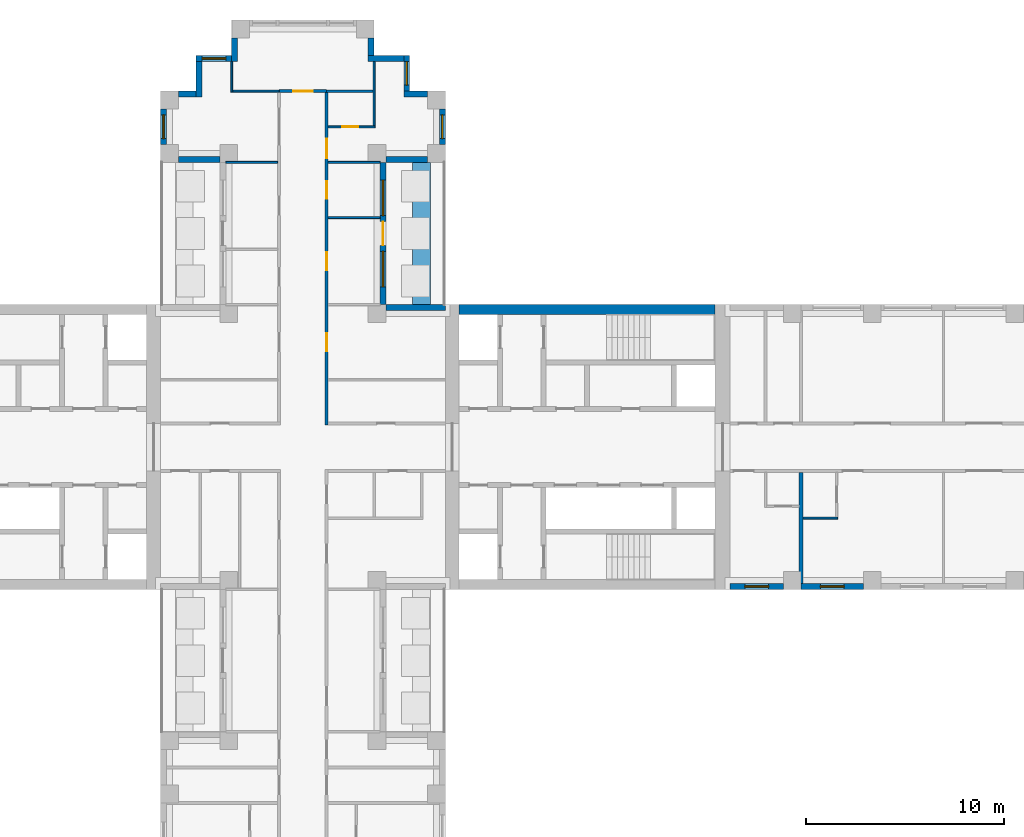
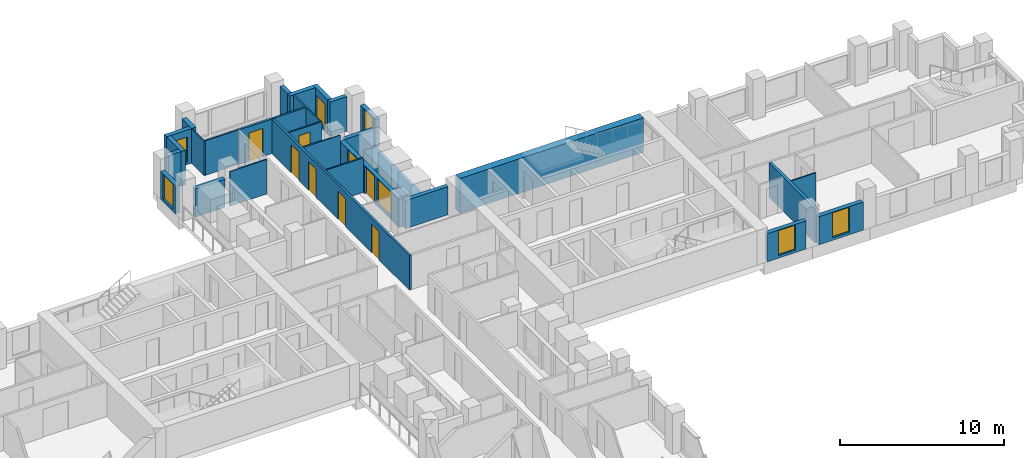
# One storey, part 9 of 13: 30 walls, 8 windows, 7 doors, 15 openings.
"""IFC4 building model written with IfcOpenShell, lengths in metres."""

import ifcopenshell
import ifcopenshell.guid

model = None  # the IFC model being written
_history = None  # IfcOwnerHistory: only IFC2X3 demands one
_inside = {}  # id of a spatial element -> (the spatial element, [elements in it])
_under = {}  # id of a project, library or spatial element -> (it, [spatial elements below it])
_declared = {}  # id of a project -> (the project, [libraries it declares])
_typed = {}  # id of a type object -> (the type object, [elements of that type])
_made_of = {}  # id of a material, layer set ... -> (it, [elements and type objects made of it])


def new_model(schema):
    """Start an empty IFC model of exactly this schema.

    Asked for "IFC4X3", IfcOpenShell would pick the latest addendum, in which some entities
    have other attributes; the version numbers below select the first issue.
    IFC2X3 requires an IfcOwnerHistory on every rooted entity: one is made here for all.
    """
    global model, _history
    if schema == "IFC4X3":
        model = ifcopenshell.file(schema_version=(4, 3, 0, 0))
    else:
        model = ifcopenshell.file(schema=schema)
    _inside.clear()
    _under.clear()
    _declared.clear()
    _typed.clear()
    _made_of.clear()
    _history = None
    if model.schema == "IFC2X3":
        org = make("IfcOrganization", Name="unknown")
        user = make(
            "IfcPersonAndOrganization",
            ThePerson=make("IfcPerson", FamilyName="unknown"),
            TheOrganization=org,
        )
        app = make(
            "IfcApplication",
            ApplicationDeveloper=org,
            Version="unknown",
            ApplicationFullName="unknown",
            ApplicationIdentifier="unknown",
        )
        _history = make(
            "IfcOwnerHistory",
            OwningUser=user,
            OwningApplication=app,
            ChangeAction="ADDED",
            CreationDate=0,
        )
    return model


def make(cls, **values):
    """One entity of the class cls with the attributes given. An attribute that is None is left unset."""
    return model.create_entity(
        cls, **{name: value for name, value in values.items() if value is not None}
    )


def rooted(cls, **values):
    """An entity with a GlobalId (a new one), such as an element, a storey or a relation."""
    return make(cls, GlobalId=ifcopenshell.guid.new(), OwnerHistory=_history, **values)


def si_unit(unit_type, name, prefix=None):
    """IfcSIUnit, for example si_unit("LENGTHUNIT", "METRE", prefix="MILLI")."""
    return make("IfcSIUnit", UnitType=unit_type, Prefix=prefix, Name=name)


def assignment(units):
    """IfcUnitAssignment: the units of a project."""
    return None if units is None else make("IfcUnitAssignment", Units=units)


def point(xyz):
    """IfcCartesianPoint."""
    return None if xyz is None else make("IfcCartesianPoint", Coordinates=xyz)


def direction(xyz):
    """IfcDirection."""
    return None if xyz is None else make("IfcDirection", DirectionRatios=xyz)


def frame(location, z_axis=None, x_axis=None):
    """IfcAxis2Placement3D, a coordinate frame: its origin and axes. An axis left out is left unset."""
    return make(
        "IfcAxis2Placement3D",
        Location=point(location),
        Axis=direction(z_axis),
        RefDirection=direction(x_axis),
    )


def frame_2d(location, x_axis=None):
    """IfcAxis2Placement2D, a coordinate frame in the plane: its origin and x axis."""
    return make(
        "IfcAxis2Placement2D", Location=point(location), RefDirection=direction(x_axis)
    )


def origin():
    """The frame at (0, 0, 0) with its axes left unset."""
    return frame((0.0, 0.0, 0.0))


def place(relative_to, where):
    """IfcLocalPlacement: puts the frame where relative to a parent placement (None: the world)."""
    return make(
        "IfcLocalPlacement", PlacementRelTo=relative_to, RelativePlacement=where
    )


def context(
    kind, dimensions, precision=None, world=None, true_north=None, identifier=None
):
    """IfcGeometricRepresentationContext, for example the 3D "Model" context."""
    return make(
        "IfcGeometricRepresentationContext",
        ContextIdentifier=identifier,
        ContextType=kind,
        CoordinateSpaceDimension=dimensions,
        Precision=precision,
        WorldCoordinateSystem=world,
        TrueNorth=true_north,
    )


def subcontext(parent, identifier, kind, view, scale=None):
    """IfcGeometricRepresentationSubContext, for example "Body" below "Model"."""
    return make(
        "IfcGeometricRepresentationSubContext",
        ContextIdentifier=identifier,
        ContextType=kind,
        ParentContext=parent,
        TargetScale=scale,
        TargetView=view,
    )


def project(units=None, contexts=None):
    """IfcProject with its units and contexts."""
    return rooted(
        "IfcProject",
        Name="project",
        RepresentationContexts=contexts,
        UnitsInContext=assignment(units),
    )


def spatial(cls, under=None, at=None, **own):
    """A site, building, storey or space (cls), placed at a placement, below another one or the project."""
    s = rooted(cls, ObjectPlacement=at, **own)
    if under is not None:
        _under.setdefault(under.id(), (under, []))[1].append(s)
    return s


def profile(cls, at=None, kind="AREA", **sizes):
    """A parametric profile (cls). Its sizes go by their IFC names, for example OverallWidth=200.0."""
    return make(cls, ProfileType=kind, Position=at, **sizes)


def rectangle(**sizes):
    """IfcRectangleProfileDef."""
    return profile("IfcRectangleProfileDef", **sizes)


def extrude(swept, where, along, depth):
    """IfcExtrudedAreaSolid: the profile swept, set in the frame where, extruded along a direction by depth."""
    return make(
        "IfcExtrudedAreaSolid",
        SweptArea=swept,
        Position=where,
        ExtrudedDirection=direction(along),
        Depth=depth,
    )


def shape(context_of_items, identifier, shape_type, items):
    """IfcShapeRepresentation: the items that make up one representation, for example the "Body"."""
    return make(
        "IfcShapeRepresentation",
        ContextOfItems=context_of_items,
        RepresentationIdentifier=identifier,
        RepresentationType=shape_type,
        Items=items,
    )


def material(Name=None, Category=None):
    """IfcMaterial."""
    return make("IfcMaterial", Name=Name, Category=Category)


def layer(
    of_material, thickness, ventilated=None, Name=None, Category=None, Priority=None
):
    """IfcMaterialLayer: one layer of a wall or slab, of a material (None: an air gap)."""
    return make(
        "IfcMaterialLayer",
        Material=of_material,
        LayerThickness=thickness,
        IsVentilated=ventilated,
        Name=Name,
        Category=Category,
        Priority=Priority,
    )


def layer_set(layers, Name=None):
    """IfcMaterialLayerSet."""
    return make("IfcMaterialLayerSet", MaterialLayers=layers, LayerSetName=Name)


def made_of(thing, what):
    """Note that an element or type object is made of a material, layer set ...; save() writes the relation."""
    if what is not None:
        _made_of.setdefault(what.id(), (what, []))[1].append(thing)
    return thing


def type_object(cls, material=None, **own):
    """A type object (cls), such as IfcWallType, which elements share."""
    return made_of(rooted(cls, **own), material)


def element(
    cls,
    number,
    at=None,
    inside=None,
    cuts=None,
    type_object=None,
    material=None,
    context=None,
    identifier="Body",
    shape_type=None,
    held_by="IfcProductDefinitionShape",
    body=None,
    shapes=None,
    **own,
):
    """One element of the class cls, such as IfcWall. Its Tag is "e" and its number.

    at: its placement. inside: the storey or other place that contains it. cuts: it is an
    opening in that element (IfcRelVoidsElement). A single representation is given by context,
    identifier, shape_type and body (its items); several are given by shapes. held_by: the class
    of the entity that holds the representations. save() writes the other relations.
    """
    e = rooted(cls, Tag="e%d" % number, ObjectPlacement=at, **own)
    if body is not None:
        shapes = [shape(context, identifier, shape_type, body)]
    if shapes is not None:
        e.Representation = make(held_by, Representations=shapes)
    if inside is not None:
        _inside.setdefault(inside.id(), (inside, []))[1].append(e)
    if cuts is not None:
        rooted(
            "IfcRelVoidsElement", RelatingBuildingElement=cuts, RelatedOpeningElement=e
        )
    if type_object is not None:
        _typed.setdefault(type_object.id(), (type_object, []))[1].append(e)
    return made_of(e, material)


def fill(opening, filler):
    """IfcRelFillsElement: the door or window that sits in an opening."""
    return rooted(
        "IfcRelFillsElement",
        RelatingOpeningElement=opening,
        RelatedBuildingElement=filler,
    )


def aggregate(whole, parts):
    """IfcRelAggregates: a whole, such as a stair, and the parts it consists of."""
    return rooted("IfcRelAggregates", RelatingObject=whole, RelatedObjects=parts)


def save(model, path):
    """Write the relations noted so far, then the file.

    IfcRelAggregates (storeys below a building ...), IfcRelContainedInSpatialStructure (elements
    in a storey), IfcRelDefinesByType, IfcRelAssociatesMaterial and IfcRelDeclares: one each for
    every whole, place, type object, material and project.
    """
    for whole, parts in _under.values():
        aggregate(whole, parts)
    for where, things in _inside.values():
        rooted(
            "IfcRelContainedInSpatialStructure",
            RelatedElements=things,
            RelatingStructure=where,
        )
    for kind, things in _typed.values():
        rooted("IfcRelDefinesByType", RelatedObjects=things, RelatingType=kind)
    for what, things in _made_of.values():
        rooted("IfcRelAssociatesMaterial", RelatedObjects=things, RelatingMaterial=what)
    for by, libraries in _declared.values():
        rooted("IfcRelDeclares", RelatingContext=by, RelatedDefinitions=libraries)
    model.write(path)


model = new_model("IFC4")

# Units and contexts
model_context = context("Model", 3, precision=1e-05, world=origin(), true_north=direction((0.0, 1.0)))
body_context = subcontext(model_context, "Body", "Model", "MODEL_VIEW")
ifc_project = project(units=[si_unit("LENGTHUNIT", "METRE"), si_unit("AREAUNIT", "SQUARE_METRE"), si_unit("VOLUMEUNIT", "CUBIC_METRE"), si_unit("PLANEANGLEUNIT", "RADIAN"), si_unit("MASSUNIT", "GRAM", prefix="KILO")], contexts=[model_context])

# Site, building, storey
site_placement = place(None, origin())
site = spatial("IfcSite", under=ifc_project, at=site_placement, CompositionType="ELEMENT")
building_placement = place(site_placement, origin())
building = spatial("IfcBuilding", under=site, at=building_placement, Name="Fustian Cross Tower", CompositionType="ELEMENT")
storey_placement = place(building_placement, frame((0.0, 0.0, 105.89990234375)))
storey = spatial("IfcBuildingStorey", under=building, at=storey_placement, Name="L33", CompositionType="ELEMENT", Elevation=105.89990234375)

# Wall, opening, door
ifc_material_1 = material(Name="Plasterboard on steel stud", Category="steel")
ifc_layer_1 = layer(ifc_material_1, 0.14990234375)
ifc_layer_set_1 = layer_set([ifc_layer_1], Name="Plasterboard on steel stud")
wall_type_1 = type_object("IfcWallType", Name="COMPARTMENT WALL 150 EI 60", PredefinedType="PARTITIONING", material=ifc_layer_set_1)
wall_1_placement = place(storey_placement, frame((-1.199951171875, 18.0, 0.0), z_axis=(0.0, 0.0, 1.0), x_axis=(1.0, 0.0, 0.0)))
wall_1 = element("IfcWall", 1, at=wall_1_placement, inside=storey, type_object=wall_type_1, Name="Partition 42", PredefinedType="PARTITIONING", context=body_context, shape_type="SweptSolid", body=[
    extrude(rectangle(XDim=2.39990234375, YDim=0.14990234375, at=frame_2d((1.199951171875, 0.0))), origin(), (0.0, 0.0, 1.0), 2.5751953125),
])
opening_1_placement = place(wall_1_placement, frame((0.699951171875, 0.0, 0.0)))
opening_1 = element("IfcOpeningElement", 2, at=opening_1_placement, cuts=wall_1, Name="Opening D15020", PredefinedType="OPENING", context=body_context, shape_type="SweptSolid", body=[
    extrude(rectangle(XDim=1.0, YDim=2.10009765625, at=frame_2d((0.5, 1.050048828125))), frame((0.0, 0.0849609375, 0.0), z_axis=(0.0, -1.0, 0.0), x_axis=(1.0, 0.0, 0.0)), (0.0, 0.0, 1.0), 0.169921875),
])
ifc_material_2 = material(Name="Timber fire door set", Category="wood")
door_type_1 = type_object("IfcDoorType", Name="FIRE SWING DOOR 1000 FD30S", OperationType="SINGLE_SWING_LEFT", PredefinedType="DOOR", material=ifc_material_2)
door_1_placement = place(opening_1_placement, origin())
door_1 = element("IfcDoor", 3, at=door_1_placement, inside=storey, type_object=door_type_1, Name="Door D15020", OperationType="SINGLE_SWING_LEFT", OverallHeight=2.10009765625, OverallWidth=1.0, PredefinedType="DOOR", context=body_context, shape_type="SweptSolid", body=[
    extrude(rectangle(XDim=1.0, YDim=2.10009765625, at=frame_2d((0.5, 1.050048828125))), frame((0.0, 0.02490234375, 0.0), z_axis=(0.0, -1.0, 0.0), x_axis=(1.0, 0.0, 0.0)), (0.0, 0.0, 1.0), 0.050048828125),
])
fill(opening_1, door_1)

# Wall, openings, doors
wall_2_placement = place(storey_placement, frame((1.199951171875, 1.125, 0.0), z_axis=(0.0, 0.0, 1.0), x_axis=(0.0, 1.0, 0.0)))
wall_2 = element("IfcWall", 4, at=wall_2_placement, inside=storey, type_object=wall_type_1, Name="Partition 51", PredefinedType="PARTITIONING", context=body_context, shape_type="SweptSolid", body=[
    extrude(rectangle(XDim=16.800048828125, YDim=0.14990234375, at=frame_2d((8.39990234375, 0.0))), origin(), (0.0, 0.0, 1.0), 2.5751953125),
])
opening_2_placement = place(wall_2_placement, frame((3.72509765625, 0.0, 0.0)))
opening_2 = element("IfcOpeningElement", 5, at=opening_2_placement, cuts=wall_2, Name="Opening D15002", PredefinedType="OPENING", context=body_context, shape_type="SweptSolid", body=[
    extrude(rectangle(XDim=0.89990234375, YDim=2.10009765625, at=frame_2d((0.449951171875, 1.050048828125))), frame((0.0, 0.0849609375, 0.0), z_axis=(0.0, -1.0, 0.0), x_axis=(1.0, 0.0, 0.0)), (0.0, 0.0, 1.0), 0.169921875),
])
opening_3_placement = place(wall_2_placement, frame((11.425048828125, 0.0, 0.0)))
opening_3 = element("IfcOpeningElement", 6, at=opening_3_placement, cuts=wall_2, Name="Opening D15024", PredefinedType="OPENING", context=body_context, shape_type="SweptSolid", body=[
    extrude(rectangle(XDim=0.89990234375, YDim=2.10009765625, at=frame_2d((0.449951171875, 1.050048828125))), frame((0.0, 0.0849609375, 0.0), z_axis=(0.0, -1.0, 0.0), x_axis=(1.0, 0.0, 0.0)), (0.0, 0.0, 1.0), 0.169921875),
])
opening_4_placement = place(wall_2_placement, frame((7.824951171875, 0.0, 0.0)))
opening_4 = element("IfcOpeningElement", 7, at=opening_4_placement, cuts=wall_2, Name="Opening D15025", PredefinedType="OPENING", context=body_context, shape_type="SweptSolid", body=[
    extrude(rectangle(XDim=0.89990234375, YDim=2.10009765625, at=frame_2d((0.449951171875, 1.050048828125))), frame((0.0, 0.0849609375, 0.0), z_axis=(0.0, -1.0, 0.0), x_axis=(1.0, 0.0, 0.0)), (0.0, 0.0, 1.0), 0.169921875),
])
opening_5_placement = place(wall_2_placement, frame((13.47509765625, 0.0, 0.0)))
opening_5 = element("IfcOpeningElement", 8, at=opening_5_placement, cuts=wall_2, Name="Opening D15027", PredefinedType="OPENING", context=body_context, shape_type="SweptSolid", body=[
    extrude(rectangle(XDim=1.0, YDim=2.10009765625, at=frame_2d((0.5, 1.050048828125))), frame((0.0, 0.0849609375, 0.0), z_axis=(0.0, -1.0, 0.0), x_axis=(1.0, 0.0, 0.0)), (0.0, 0.0, 1.0), 0.169921875),
])
door_2_placement = place(opening_5_placement, frame((1.0, 0.0, 0.0), z_axis=(0.0, 0.0, 1.0), x_axis=(-1.0, 0.0, 0.0)))
door_2 = element("IfcDoor", 9, at=door_2_placement, inside=storey, type_object=door_type_1, Name="Door D15027", OperationType="SINGLE_SWING_RIGHT", OverallHeight=2.10009765625, OverallWidth=1.0, PredefinedType="DOOR", context=body_context, shape_type="SweptSolid", body=[
    extrude(rectangle(XDim=1.0, YDim=2.10009765625, at=frame_2d((0.5, 1.050048828125))), frame((0.0, 0.02490234375, 0.0), z_axis=(0.0, -1.0, 0.0), x_axis=(1.0, 0.0, 0.0)), (0.0, 0.0, 1.0), 0.050048828125),
])
fill(opening_5, door_2)
ifc_material_3 = material(Name="Timber fire door set", Category="wood")
door_type_2 = type_object("IfcDoorType", Name="FIRE SWING DOOR 900 FD30S", OperationType="SINGLE_SWING_LEFT", PredefinedType="DOOR", material=ifc_material_3)
door_3_placement = place(opening_2_placement, frame((0.89990234375, 0.0, 0.0), z_axis=(0.0, 0.0, 1.0), x_axis=(-1.0, 0.0, 0.0)))
door_3 = element("IfcDoor", 10, at=door_3_placement, inside=storey, type_object=door_type_2, Name="Door D15002", OperationType="SINGLE_SWING_LEFT", OverallHeight=2.10009765625, OverallWidth=0.89990234375, PredefinedType="DOOR", context=body_context, shape_type="SweptSolid", body=[
    extrude(rectangle(XDim=0.89990234375, YDim=2.10009765625, at=frame_2d((0.449951171875, 1.050048828125))), frame((0.0, 0.02490234375, 0.0), z_axis=(0.0, -1.0, 0.0), x_axis=(1.0, 0.0, 0.0)), (0.0, 0.0, 1.0), 0.050048828125),
])
fill(opening_2, door_3)
door_4_placement = place(opening_3_placement, frame((0.89990234375, 0.0, 0.0), z_axis=(0.0, 0.0, 1.0), x_axis=(-1.0, 0.0, 0.0)))
door_4 = element("IfcDoor", 11, at=door_4_placement, inside=storey, type_object=door_type_2, Name="Door D15024", OperationType="SINGLE_SWING_RIGHT", OverallHeight=2.10009765625, OverallWidth=0.89990234375, PredefinedType="DOOR", context=body_context, shape_type="SweptSolid", body=[
    extrude(rectangle(XDim=0.89990234375, YDim=2.10009765625, at=frame_2d((0.449951171875, 1.050048828125))), frame((0.0, 0.02490234375, 0.0), z_axis=(0.0, -1.0, 0.0), x_axis=(1.0, 0.0, 0.0)), (0.0, 0.0, 1.0), 0.050048828125),
])
fill(opening_3, door_4)
door_5_placement = place(opening_4_placement, frame((0.89990234375, 0.0, 0.0), z_axis=(0.0, 0.0, 1.0), x_axis=(-1.0, 0.0, 0.0)))
door_5 = element("IfcDoor", 12, at=door_5_placement, inside=storey, type_object=door_type_2, Name="Door D15025", OperationType="SINGLE_SWING_RIGHT", OverallHeight=2.10009765625, OverallWidth=0.89990234375, PredefinedType="DOOR", context=body_context, shape_type="SweptSolid", body=[
    extrude(rectangle(XDim=0.89990234375, YDim=2.10009765625, at=frame_2d((0.449951171875, 1.050048828125))), frame((0.0, 0.02490234375, 0.0), z_axis=(0.0, -1.0, 0.0), x_axis=(1.0, 0.0, 0.0)), (0.0, 0.0, 1.0), 0.050048828125),
])
fill(opening_4, door_5)

# Walls
ifc_material_4 = material(Name="Concrete C70/85", Category="concrete")
ifc_layer_2 = layer(ifc_material_4, 0.5)
ifc_layer_set_2 = layer_set([ifc_layer_2], Name="Concrete C70/85")
wall_type_2 = type_object("IfcWallType", Name="CORE FACADE WALL 500 C70/85", PredefinedType="SHEAR", material=ifc_layer_set_2)
wall_3_placement = place(storey_placement, frame((7.89990234375, 6.949951171875, 0.0), z_axis=(0.0, 0.0, 1.0), x_axis=(1.0, 0.0, 0.0)))
element("IfcWall", 13, at=wall_3_placement, inside=storey, type_object=wall_type_2, Name="Core facade wall", PredefinedType="SHEAR", context=body_context, shape_type="SweptSolid", body=[
    extrude(rectangle(XDim=12.9501953125, YDim=0.5, at=frame_2d((6.47509765625, 0.0))), origin(), (0.0, 0.0, 1.0), 2.5751953125),
])
ifc_material_5 = material(Name="Plasterboard on steel stud", Category="steel")
ifc_layer_3 = layer(ifc_material_5, 0.10009765625)
ifc_layer_set_3 = layer_set([ifc_layer_3], Name="Plasterboard on steel stud")
wall_type_3 = type_object("IfcWallType", Name="PARTITION 100 STUD", PredefinedType="PARTITIONING", material=ifc_layer_set_3)
wall_4_placement = place(storey_placement, frame((-3.89990234375, 14.39990234375, 0.0), z_axis=(0.0, 0.0, 1.0), x_axis=(1.0, 0.0, 0.0)))
element("IfcWall", 14, at=wall_4_placement, inside=storey, type_object=wall_type_3, Name="Partition 35", PredefinedType="PARTITIONING", context=body_context, shape_type="SweptSolid", body=[
    extrude(rectangle(XDim=2.625, YDim=0.10009765625, at=frame_2d((1.3125, 0.0))), origin(), (0.0, 0.0, 1.0), 2.5751953125),
])
wall_5_placement = place(storey_placement, frame((-3.60009765625, 17.949951171875, 0.0), z_axis=(0.0, 0.0, 1.0), x_axis=(0.0, 1.0, 0.0)))
element("IfcWall", 15, at=wall_5_placement, inside=storey, type_object=wall_type_3, Name="Partition 36", PredefinedType="PARTITIONING", context=body_context, shape_type="SweptSolid", body=[
    extrude(rectangle(XDim=1.550048828125, YDim=0.10009765625, at=frame_2d((0.77490234375, 0.0))), origin(), (0.0, 0.0, 1.0), 2.5751953125),
])
wall_6_placement = place(storey_placement, frame((-3.550048828125, 18.0, 0.0), z_axis=(0.0, 0.0, 1.0), x_axis=(1.0, 0.0, 0.0)))
element("IfcWall", 16, at=wall_6_placement, inside=storey, type_object=wall_type_3, Name="Partition 37", PredefinedType="PARTITIONING", context=body_context, shape_type="SweptSolid", body=[
    extrude(rectangle(XDim=2.35009765625, YDim=0.10009765625, at=frame_2d((1.175048828125, 0.0))), origin(), (0.0, 0.0, 1.0), 2.5751953125),
])
for number, where, z_axis, x_axis, name in (
    (17, (1.27490234375, 11.60009765625, 0.0), (0.0, 0.0, 1.0), (1.0, 0.0, 0.0), "Partition 55"),
    (18, (1.27490234375, 14.39990234375, 0.0), (0.0, 0.0, 1.0), (1.0, 0.0, 0.0), "Partition 56"),
):
    element("IfcWall", number, at=place(storey_placement, frame(where, z_axis=z_axis, x_axis=x_axis)), inside=storey, type_object=wall_type_3, Name=name, PredefinedType="PARTITIONING", context=body_context, shape_type="SweptSolid", body=[
        extrude(rectangle(XDim=2.625, YDim=0.10009765625, at=frame_2d((1.3125, 0.0))), origin(), (0.0, 0.0, 1.0), 2.5751953125),
    ])

# Wall, opening, door
wall_7_placement = place(storey_placement, frame((1.27490234375, 16.199951171875, 0.0), z_axis=(0.0, 0.0, 1.0), x_axis=(1.0, 0.0, 0.0)))
wall_7 = element("IfcWall", 19, at=wall_7_placement, inside=storey, type_object=wall_type_3, Name="Partition 57", PredefinedType="PARTITIONING", context=body_context, shape_type="SweptSolid", body=[
    extrude(rectangle(XDim=2.375, YDim=0.10009765625, at=frame_2d((1.1875, 0.0))), origin(), (0.0, 0.0, 1.0), 2.5751953125),
])
opening_6_placement = place(wall_7_placement, frame((0.72509765625, 0.0, 0.0)))
opening_6 = element("IfcOpeningElement", 20, at=opening_6_placement, cuts=wall_7, Name="Opening D15026", PredefinedType="OPENING", context=body_context, shape_type="SweptSolid", body=[
    extrude(rectangle(XDim=0.800048828125, YDim=2.10009765625, at=frame_2d((0.39990234375, 1.050048828125))), frame((0.0, 0.06005859375, 0.0), z_axis=(0.0, -1.0, 0.0), x_axis=(1.0, 0.0, 0.0)), (0.0, 0.0, 1.0), 0.1201171875),
])
ifc_material_6 = material(Name="Painted timber", Category="wood")
door_type_3 = type_object("IfcDoorType", Name="SWING DOOR 800", OperationType="SINGLE_SWING_LEFT", PredefinedType="DOOR", material=ifc_material_6)
door_6_placement = place(opening_6_placement, origin())
door_6 = element("IfcDoor", 21, at=door_6_placement, inside=storey, type_object=door_type_3, Name="Door D15026", OperationType="SINGLE_SWING_LEFT", OverallHeight=2.10009765625, OverallWidth=0.800048828125, PredefinedType="DOOR", context=body_context, shape_type="SweptSolid", body=[
    extrude(rectangle(XDim=0.800048828125, YDim=2.10009765625, at=frame_2d((0.39990234375, 1.050048828125))), frame((0.0, 0.02490234375, 0.0), z_axis=(0.0, -1.0, 0.0), x_axis=(1.0, 0.0, 0.0)), (0.0, 0.0, 1.0), 0.050048828125),
])
fill(opening_6, door_6)

# Walls
wall_8_placement = place(storey_placement, frame((3.60009765625, 16.25, 0.0), z_axis=(0.0, 0.0, 1.0), x_axis=(0.0, 1.0, 0.0)))
element("IfcWall", 22, at=wall_8_placement, inside=storey, type_object=wall_type_3, Name="Partition 64", PredefinedType="PARTITIONING", context=body_context, shape_type="SweptSolid", body=[
    extrude(rectangle(XDim=3.25, YDim=0.10009765625, at=frame_2d((1.625, 0.0))), origin(), (0.0, 0.0, 1.0), 2.5751953125),
])
wall_9_placement = place(storey_placement, frame((25.300048828125, -3.60009765625, 0.0), z_axis=(0.0, 0.0, 1.0), x_axis=(1.0, 0.0, 0.0)))
element("IfcWall", 23, at=wall_9_placement, inside=storey, type_object=wall_type_3, Name="Partition 76", PredefinedType="PARTITIONING", context=body_context, shape_type="SweptSolid", body=[
    extrude(rectangle(XDim=1.75, YDim=0.10009765625, at=frame_2d((0.875, 0.0))), origin(), (0.0, 0.0, 1.0), 2.5751953125),
])
ifc_material_7 = material(Name="Plasterboard on steel stud", Category="steel")
ifc_layer_4 = layer(ifc_material_7, 0.199951171875)
ifc_layer_set_4 = layer_set([ifc_layer_4], Name="Plasterboard on steel stud")
wall_type_4 = type_object("IfcWallType", Name="PARTY WALL 200 EI 60", PredefinedType="PARTITIONING", material=ifc_layer_set_4)
wall_10_placement = place(storey_placement, frame((25.199951171875, -6.89990234375, 0.0), z_axis=(0.0, 0.0, 1.0), x_axis=(0.0, 1.0, 0.0)))
element("IfcWall", 24, at=wall_10_placement, inside=storey, type_object=wall_type_4, Name="Partition 75", PredefinedType="PARTITIONING", context=body_context, shape_type="SweptSolid", body=[
    extrude(rectangle(XDim=5.625, YDim=0.199951171875, at=frame_2d((2.8125, 0.0))), origin(), (0.0, 0.0, 1.0), 2.5751953125),
])
ifc_material_8 = material(Name="Concrete C40/50", Category="concrete")
ifc_layer_5 = layer(ifc_material_8, 0.89990234375)
ifc_layer_set_5 = layer_set([ifc_layer_5], Name="Concrete C40/50")
wall_type_5 = type_object("IfcWallType", Name="PK1 PLANTER 900", PredefinedType="PARAPET", material=ifc_layer_set_5)
wall_11_placement = place(storey_placement, frame((6.0, 7.199951171875, 0.0), z_axis=(0.0, 0.0, 1.0), x_axis=(0.0, 1.0, 0.0)))
element("IfcWall", 25, at=wall_11_placement, inside=storey, type_object=wall_type_5, Name="PLANTER", PredefinedType="PARAPET", context=body_context, shape_type="SweptSolid", body=[
    extrude(rectangle(XDim=7.199951171875, YDim=0.89990234375, at=frame_2d((3.60009765625, 0.0))), origin(), (0.0, 0.0, 1.0), 0.800048828125),
])
ifc_material_9 = material(Name="Plasterboard on steel stud", Category="steel")
ifc_layer_6 = layer(ifc_material_9, 0.125)
ifc_layer_set_6 = layer_set([ifc_layer_6], Name="Plasterboard on steel stud")
wall_type_6 = type_object("IfcWallType", Name="WET WALL 125 STUD", PredefinedType="PARTITIONING", material=ifc_layer_set_6)
wall_12_placement = place(storey_placement, frame((1.199951171875, 18.0, 0.0), z_axis=(0.0, 0.0, 1.0), x_axis=(1.0, 0.0, 0.0)))
element("IfcWall", 26, at=wall_12_placement, inside=storey, type_object=wall_type_6, Name="Partition 58", PredefinedType="PARTITIONING", context=body_context, shape_type="SweptSolid", body=[
    extrude(rectangle(XDim=2.35009765625, YDim=0.125, at=frame_2d((1.175048828125, 0.0))), origin(), (0.0, 0.0, 1.0), 2.5751953125),
])

# Wall, opening, window
ifc_material_10 = material(Name="Dark aluminium cladding on insulated backing wall", Category="aluminium")
ifc_layer_7 = layer(ifc_material_10, 0.300048828125)
ifc_layer_set_7 = layer_set([ifc_layer_7], Name="Dark aluminium cladding on insulated backing wall")
wall_type_7 = type_object("IfcWallType", Name="XW1 EXTERNAL WALL 300", PredefinedType="SOLIDWALL", material=ifc_layer_set_7)
wall_13_placement = place(storey_placement, frame((21.60009765625, -7.050048828125, 0.0), z_axis=(0.0, 0.0, 1.0), x_axis=(1.0, 0.0, 0.0)))
wall_13 = element("IfcWall", 27, at=wall_13_placement, inside=storey, type_object=wall_type_7, Name="External wall", PredefinedType="SOLIDWALL", context=body_context, shape_type="SweptSolid", body=[
    extrude(rectangle(XDim=2.699951171875, YDim=0.300048828125, at=frame_2d((1.35009765625, 0.0))), origin(), (0.0, 0.0, 1.0), 2.10009765625),
])
opening_7_placement = place(wall_13_placement, frame((0.75, 0.0, 0.199951171875)))
opening_7 = element("IfcOpeningElement", 28, at=opening_7_placement, cuts=wall_13, Name="Opening WN3", PredefinedType="OPENING", context=body_context, shape_type="SweptSolid", body=[
    extrude(rectangle(XDim=1.199951171875, YDim=1.85009765625, at=frame_2d((0.60009765625, 0.925048828125))), frame((0.0, 0.159912109375, 0.0), z_axis=(0.0, -1.0, 0.0), x_axis=(1.0, 0.0, 0.0)), (0.0, 0.0, 1.0), 0.320068359375),
])
ifc_material_11 = material(Name="Dark anodised aluminium and double glazing", Category="aluminium")
window_type_1 = type_object("IfcWindowType", Name="WN3 WINDOW 1200X1850", PartitioningType="SINGLE_PANEL", PredefinedType="WINDOW", material=ifc_material_11)
window_1_placement = place(opening_7_placement, origin())
window_1 = element("IfcWindow", 29, at=window_1_placement, inside=storey, type_object=window_type_1, Name="Window", OverallHeight=1.85009765625, OverallWidth=1.199951171875, PartitioningType="SINGLE_PANEL", PredefinedType="WINDOW", context=body_context, shape_type="SweptSolid", body=[
    extrude(rectangle(XDim=1.199951171875, YDim=1.85009765625, at=frame_2d((0.60009765625, 0.925048828125))), frame((0.0, 0.030029296875, 0.0), z_axis=(0.0, -1.0, 0.0), x_axis=(1.0, 0.0, 0.0)), (0.0, 0.0, 1.0), 0.06005859375),
])
fill(opening_7, window_1)

wall_14_placement = place(storey_placement, frame((25.199951171875, -7.050048828125, 0.0), z_axis=(0.0, 0.0, 1.0), x_axis=(1.0, 0.0, 0.0)))
wall_14 = element("IfcWall", 30, at=wall_14_placement, inside=storey, type_object=wall_type_7, Name="External wall", PredefinedType="SOLIDWALL", context=body_context, shape_type="SweptSolid", body=[
    extrude(rectangle(XDim=3.150146484375, YDim=0.300048828125, at=frame_2d((1.5751953125, 0.0))), origin(), (0.0, 0.0, 1.0), 2.10009765625),
])
opening_8_placement = place(wall_14_placement, frame((0.97509765625, 0.0, 0.199951171875)))
opening_8 = element("IfcOpeningElement", 31, at=opening_8_placement, cuts=wall_14, Name="Opening WN3", PredefinedType="OPENING", context=body_context, shape_type="SweptSolid", body=[
    extrude(rectangle(XDim=1.199951171875, YDim=1.85009765625, at=frame_2d((0.60009765625, 0.925048828125))), frame((0.0, 0.159912109375, 0.0), z_axis=(0.0, -1.0, 0.0), x_axis=(1.0, 0.0, 0.0)), (0.0, 0.0, 1.0), 0.320068359375),
])
window_2_placement = place(opening_8_placement, origin())
window_2 = element("IfcWindow", 32, at=window_2_placement, inside=storey, type_object=window_type_1, Name="Window", OverallHeight=1.85009765625, OverallWidth=1.199951171875, PartitioningType="SINGLE_PANEL", PredefinedType="WINDOW", context=body_context, shape_type="SweptSolid", body=[
    extrude(rectangle(XDim=1.199951171875, YDim=1.85009765625, at=frame_2d((0.60009765625, 0.925048828125))), frame((0.0, 0.030029296875, 0.0), z_axis=(0.0, -1.0, 0.0), x_axis=(1.0, 0.0, 0.0)), (0.0, 0.0, 1.0), 0.06005859375),
])
fill(opening_8, window_2)

# Wall
wall_15_placement = place(storey_placement, frame((7.199951171875, 7.050048828125, 0.0), z_axis=(0.0, 0.0, 1.0), x_axis=(-1.0, 0.0, 0.0)))
element("IfcWall", 33, at=wall_15_placement, inside=storey, type_object=wall_type_7, Name="External wall", PredefinedType="SOLIDWALL", context=body_context, shape_type="SweptSolid", body=[
    extrude(rectangle(XDim=3.0, YDim=0.300048828125, at=frame_2d((1.5, 0.0))), origin(), (0.0, 0.0, 1.0), 2.10009765625),
])

# Wall, openings, door, windows
wall_16_placement = place(storey_placement, frame((4.050048828125, 7.199951171875, 0.0), z_axis=(0.0, 0.0, 1.0), x_axis=(0.0, 1.0, 0.0)))
wall_16 = element("IfcWall", 34, at=wall_16_placement, inside=storey, type_object=wall_type_7, Name="External wall", PredefinedType="SOLIDWALL", context=body_context, shape_type="SweptSolid", body=[
    extrude(rectangle(XDim=7.199951171875, YDim=0.300048828125, at=frame_2d((3.60009765625, 0.0))), origin(), (0.0, 0.0, 1.0), 2.10009765625),
])
opening_9_placement = place(wall_16_placement, frame((3.0, 0.0, 0.0)))
opening_9 = element("IfcOpeningElement", 35, at=opening_9_placement, cuts=wall_16, Name="Opening XD1", PredefinedType="OPENING", context=body_context, shape_type="SweptSolid", body=[
    extrude(rectangle(XDim=1.199951171875, YDim=2.050048828125, at=frame_2d((0.60009765625, 1.02490234375))), frame((0.0, 0.159912109375, 0.0), z_axis=(0.0, -1.0, 0.0), x_axis=(1.0, 0.0, 0.0)), (0.0, 0.0, 1.0), 0.320068359375),
])
opening_10_placement = place(wall_16_placement, frame((0.89990234375, 0.0, 0.199951171875)))
opening_10 = element("IfcOpeningElement", 36, at=opening_10_placement, cuts=wall_16, Name="Opening WN2", PredefinedType="OPENING", context=body_context, shape_type="SweptSolid", body=[
    extrude(rectangle(XDim=1.800048828125, YDim=1.85009765625, at=frame_2d((0.89990234375, 0.925048828125))), frame((0.0, 0.159912109375, 0.0), z_axis=(0.0, -1.0, 0.0), x_axis=(1.0, 0.0, 0.0)), (0.0, 0.0, 1.0), 0.320068359375),
])
opening_11_placement = place(wall_16_placement, frame((4.5, 0.0, 0.199951171875)))
opening_11 = element("IfcOpeningElement", 37, at=opening_11_placement, cuts=wall_16, Name="Opening WN2", PredefinedType="OPENING", context=body_context, shape_type="SweptSolid", body=[
    extrude(rectangle(XDim=1.800048828125, YDim=1.85009765625, at=frame_2d((0.89990234375, 0.925048828125))), frame((0.0, 0.159912109375, 0.0), z_axis=(0.0, -1.0, 0.0), x_axis=(1.0, 0.0, 0.0)), (0.0, 0.0, 1.0), 0.320068359375),
])
ifc_material_12 = material(Name="Dark anodised aluminium and double glazing", Category="aluminium")
door_type_4 = type_object("IfcDoorType", Name="ED1 BALCONY DOOR 1200X2050", OperationType="SINGLE_SWING_LEFT", PredefinedType="DOOR", material=ifc_material_12)
door_7_placement = place(opening_9_placement, origin())
door_7 = element("IfcDoor", 38, at=door_7_placement, inside=storey, type_object=door_type_4, Name="Balcony door", OperationType="SINGLE_SWING_LEFT", OverallHeight=2.050048828125, OverallWidth=1.199951171875, PredefinedType="DOOR", context=body_context, shape_type="SweptSolid", body=[
    extrude(rectangle(XDim=1.199951171875, YDim=2.050048828125, at=frame_2d((0.60009765625, 1.02490234375))), frame((0.0, 0.02490234375, 0.0), z_axis=(0.0, -1.0, 0.0), x_axis=(1.0, 0.0, 0.0)), (0.0, 0.0, 1.0), 0.050048828125),
])
fill(opening_9, door_7)
ifc_material_13 = material(Name="Dark anodised aluminium and double glazing", Category="aluminium")
window_type_2 = type_object("IfcWindowType", Name="WN2 WINDOW 1800X1850", PartitioningType="SINGLE_PANEL", PredefinedType="WINDOW", material=ifc_material_13)
window_3_placement = place(opening_10_placement, origin())
window_3 = element("IfcWindow", 39, at=window_3_placement, inside=storey, type_object=window_type_2, Name="Window", OverallHeight=1.85009765625, OverallWidth=1.800048828125, PartitioningType="SINGLE_PANEL", PredefinedType="WINDOW", context=body_context, shape_type="SweptSolid", body=[
    extrude(rectangle(XDim=1.800048828125, YDim=1.85009765625, at=frame_2d((0.89990234375, 0.925048828125))), frame((0.0, 0.030029296875, 0.0), z_axis=(0.0, -1.0, 0.0), x_axis=(1.0, 0.0, 0.0)), (0.0, 0.0, 1.0), 0.06005859375),
])
fill(opening_10, window_3)
window_4_placement = place(opening_11_placement, origin())
window_4 = element("IfcWindow", 40, at=window_4_placement, inside=storey, type_object=window_type_2, Name="Window", OverallHeight=1.85009765625, OverallWidth=1.800048828125, PartitioningType="SINGLE_PANEL", PredefinedType="WINDOW", context=body_context, shape_type="SweptSolid", body=[
    extrude(rectangle(XDim=1.800048828125, YDim=1.85009765625, at=frame_2d((0.89990234375, 0.925048828125))), frame((0.0, 0.030029296875, 0.0), z_axis=(0.0, -1.0, 0.0), x_axis=(1.0, 0.0, 0.0)), (0.0, 0.0, 1.0), 0.06005859375),
])
fill(opening_11, window_4)

# Wall
wall_17_placement = place(storey_placement, frame((4.199951171875, 14.550048828125, 0.0), z_axis=(0.0, 0.0, 1.0), x_axis=(1.0, 0.0, 0.0)))
element("IfcWall", 41, at=wall_17_placement, inside=storey, type_object=wall_type_7, Name="External wall", PredefinedType="SOLIDWALL", context=body_context, shape_type="SweptSolid", body=[
    extrude(rectangle(XDim=2.10009765625, YDim=0.300048828125, at=frame_2d((1.050048828125, 0.0))), origin(), (0.0, 0.0, 1.0), 2.10009765625),
])

# Wall, opening, window
wall_18_placement = place(storey_placement, frame((7.050048828125, 15.300048828125, 0.0), z_axis=(0.0, 0.0, 1.0), x_axis=(0.0, 1.0, 0.0)))
wall_18 = element("IfcWall", 42, at=wall_18_placement, inside=storey, type_object=wall_type_7, Name="External wall", PredefinedType="SOLIDWALL", context=body_context, shape_type="SweptSolid", body=[
    extrude(rectangle(XDim=1.800048828125, YDim=0.300048828125, at=frame_2d((0.89990234375, 0.0))), origin(), (0.0, 0.0, 1.0), 2.10009765625),
])
opening_12_placement = place(wall_18_placement, frame((0.300048828125, 0.0, 0.199951171875)))
opening_12 = element("IfcOpeningElement", 43, at=opening_12_placement, cuts=wall_18, Name="Opening WN3", PredefinedType="OPENING", context=body_context, shape_type="SweptSolid", body=[
    extrude(rectangle(XDim=1.199951171875, YDim=1.85009765625, at=frame_2d((0.60009765625, 0.925048828125))), frame((0.0, 0.159912109375, 0.0), z_axis=(0.0, -1.0, 0.0), x_axis=(1.0, 0.0, 0.0)), (0.0, 0.0, 1.0), 0.320068359375),
])
window_5_placement = place(opening_12_placement, origin())
window_5 = element("IfcWindow", 44, at=window_5_placement, inside=storey, type_object=window_type_1, Name="Window", OverallHeight=1.85009765625, OverallWidth=1.199951171875, PartitioningType="SINGLE_PANEL", PredefinedType="WINDOW", context=body_context, shape_type="SweptSolid", body=[
    extrude(rectangle(XDim=1.199951171875, YDim=1.85009765625, at=frame_2d((0.60009765625, 0.925048828125))), frame((0.0, 0.030029296875, 0.0), z_axis=(0.0, -1.0, 0.0), x_axis=(1.0, 0.0, 0.0)), (0.0, 0.0, 1.0), 0.06005859375),
])
fill(opening_12, window_5)

# Wall
wall_19_placement = place(storey_placement, frame((6.300048828125, 17.85009765625, 0.0), z_axis=(0.0, 0.0, 1.0), x_axis=(-1.0, 0.0, 0.0)))
element("IfcWall", 45, at=wall_19_placement, inside=storey, type_object=wall_type_7, Name="External wall", PredefinedType="SOLIDWALL", context=body_context, shape_type="SweptSolid", body=[
    extrude(rectangle(XDim=1.199951171875, YDim=0.300048828125, at=frame_2d((0.60009765625, 0.0))), origin(), (0.0, 0.0, 1.0), 2.5751953125),
])

# Wall, opening, window
wall_20_placement = place(storey_placement, frame((5.25, 18.0, 0.0), z_axis=(0.0, 0.0, 1.0), x_axis=(0.0, 1.0, 0.0)))
wall_20 = element("IfcWall", 46, at=wall_20_placement, inside=storey, type_object=wall_type_7, Name="External wall", PredefinedType="SOLIDWALL", context=body_context, shape_type="SweptSolid", body=[
    extrude(rectangle(XDim=1.800048828125, YDim=0.300048828125, at=frame_2d((0.89990234375, 0.0))), origin(), (0.0, 0.0, 1.0), 2.5751953125),
])
opening_13_placement = place(wall_20_placement, frame((0.300048828125, 0.0, 0.199951171875)))
opening_13 = element("IfcOpeningElement", 47, at=opening_13_placement, cuts=wall_20, Name="Opening WN3", PredefinedType="OPENING", context=body_context, shape_type="SweptSolid", body=[
    extrude(rectangle(XDim=1.199951171875, YDim=1.85009765625, at=frame_2d((0.60009765625, 0.925048828125))), frame((0.0, 0.159912109375, 0.0), z_axis=(0.0, -1.0, 0.0), x_axis=(1.0, 0.0, 0.0)), (0.0, 0.0, 1.0), 0.320068359375),
])
window_6_placement = place(opening_13_placement, origin())
window_6 = element("IfcWindow", 48, at=window_6_placement, inside=storey, type_object=window_type_1, Name="Window", OverallHeight=1.85009765625, OverallWidth=1.199951171875, PartitioningType="SINGLE_PANEL", PredefinedType="WINDOW", context=body_context, shape_type="SweptSolid", body=[
    extrude(rectangle(XDim=1.199951171875, YDim=1.85009765625, at=frame_2d((0.60009765625, 0.925048828125))), frame((0.0, 0.030029296875, 0.0), z_axis=(0.0, -1.0, 0.0), x_axis=(1.0, 0.0, 0.0)), (0.0, 0.0, 1.0), 0.06005859375),
])
fill(opening_13, window_6)

# Walls
wall_21_placement = place(storey_placement, frame((5.10009765625, 19.64990234375, 0.0), z_axis=(0.0, 0.0, 1.0), x_axis=(-1.0, 0.0, 0.0)))
element("IfcWall", 49, at=wall_21_placement, inside=storey, type_object=wall_type_7, Name="External wall", PredefinedType="SOLIDWALL", context=body_context, shape_type="SweptSolid", body=[
    extrude(rectangle(XDim=1.800048828125, YDim=0.300048828125, at=frame_2d((0.89990234375, 0.0))), origin(), (0.0, 0.0, 1.0), 2.5751953125),
])
wall_22_placement = place(storey_placement, frame((3.449951171875, 19.800048828125, 0.0), z_axis=(0.0, 0.0, 1.0), x_axis=(0.0, 1.0, 0.0)))
element("IfcWall", 50, at=wall_22_placement, inside=storey, type_object=wall_type_7, Name="External wall", PredefinedType="SOLIDWALL", context=body_context, shape_type="SweptSolid", body=[
    extrude(rectangle(XDim=0.89990234375, YDim=0.300048828125, at=frame_2d((0.449951171875, 0.0))), origin(), (0.0, 0.0, 1.0), 2.5751953125),
])
wall_23_placement = place(storey_placement, frame((-3.449951171875, 20.699951171875, 0.0), z_axis=(0.0, 0.0, 1.0), x_axis=(0.0, -1.0, 0.0)))
element("IfcWall", 51, at=wall_23_placement, inside=storey, type_object=wall_type_7, Name="External wall", PredefinedType="SOLIDWALL", context=body_context, shape_type="SweptSolid", body=[
    extrude(rectangle(XDim=1.199951171875, YDim=0.300048828125, at=frame_2d((0.60009765625, 0.0))), origin(), (0.0, 0.0, 1.0), 2.5751953125),
])

# Wall, opening, window
wall_24_placement = place(storey_placement, frame((-3.60009765625, 19.64990234375, 0.0), z_axis=(0.0, 0.0, 1.0), x_axis=(-1.0, 0.0, 0.0)))
wall_24 = element("IfcWall", 52, at=wall_24_placement, inside=storey, type_object=wall_type_7, Name="External wall", PredefinedType="SOLIDWALL", context=body_context, shape_type="SweptSolid", body=[
    extrude(rectangle(XDim=1.7998046875, YDim=0.300048828125, at=frame_2d((0.89990234375, 0.0))), origin(), (0.0, 0.0, 1.0), 2.5751953125),
])
opening_14_placement = place(wall_24_placement, frame((0.300048828125, 0.0, 0.199951171875)))
opening_14 = element("IfcOpeningElement", 53, at=opening_14_placement, cuts=wall_24, Name="Opening WN3", PredefinedType="OPENING", context=body_context, shape_type="SweptSolid", body=[
    extrude(rectangle(XDim=1.199951171875, YDim=1.85009765625, at=frame_2d((0.60009765625, 0.925048828125))), frame((0.0, 0.159912109375, 0.0), z_axis=(0.0, -1.0, 0.0), x_axis=(1.0, 0.0, 0.0)), (0.0, 0.0, 1.0), 0.320068359375),
])
window_7_placement = place(opening_14_placement, origin())
window_7 = element("IfcWindow", 54, at=window_7_placement, inside=storey, type_object=window_type_1, Name="Window", OverallHeight=1.85009765625, OverallWidth=1.199951171875, PartitioningType="SINGLE_PANEL", PredefinedType="WINDOW", context=body_context, shape_type="SweptSolid", body=[
    extrude(rectangle(XDim=1.199951171875, YDim=1.85009765625, at=frame_2d((0.60009765625, 0.925048828125))), frame((0.0, 0.030029296875, 0.0), z_axis=(0.0, -1.0, 0.0), x_axis=(1.0, 0.0, 0.0)), (0.0, 0.0, 1.0), 0.06005859375),
])
fill(opening_14, window_7)

# Walls
wall_25_placement = place(storey_placement, frame((-5.25, 19.5, 0.0), z_axis=(0.0, 0.0, 1.0), x_axis=(0.0, -1.0, 0.0)))
element("IfcWall", 55, at=wall_25_placement, inside=storey, type_object=wall_type_7, Name="External wall", PredefinedType="SOLIDWALL", context=body_context, shape_type="SweptSolid", body=[
    extrude(rectangle(XDim=1.800048828125, YDim=0.300048828125, at=frame_2d((0.89990234375, 0.0))), origin(), (0.0, 0.0, 1.0), 2.5751953125),
])
wall_26_placement = place(storey_placement, frame((-5.39990234375, 17.85009765625, 0.0), z_axis=(0.0, 0.0, 1.0), x_axis=(-1.0, 0.0, 0.0)))
element("IfcWall", 56, at=wall_26_placement, inside=storey, type_object=wall_type_7, Name="External wall", PredefinedType="SOLIDWALL", context=body_context, shape_type="SweptSolid", body=[
    extrude(rectangle(XDim=0.900146484375, YDim=0.300048828125, at=frame_2d((0.4501953125, 0.0))), origin(), (0.0, 0.0, 1.0), 2.5751953125),
])

# Wall, opening, window
wall_27_placement = place(storey_placement, frame((-7.050048828125, 17.10009765625, 0.0), z_axis=(0.0, 0.0, 1.0), x_axis=(0.0, -1.0, 0.0)))
wall_27 = element("IfcWall", 57, at=wall_27_placement, inside=storey, type_object=wall_type_7, Name="External wall", PredefinedType="SOLIDWALL", context=body_context, shape_type="SweptSolid", body=[
    extrude(rectangle(XDim=1.800048828125, YDim=0.300048828125, at=frame_2d((0.89990234375, 0.0))), origin(), (0.0, 0.0, 1.0), 2.10009765625),
])
opening_15_placement = place(wall_27_placement, frame((0.300048828125, 0.0, 0.199951171875)))
opening_15 = element("IfcOpeningElement", 58, at=opening_15_placement, cuts=wall_27, Name="Opening WN3", PredefinedType="OPENING", context=body_context, shape_type="SweptSolid", body=[
    extrude(rectangle(XDim=1.199951171875, YDim=1.85009765625, at=frame_2d((0.60009765625, 0.925048828125))), frame((0.0, 0.159912109375, 0.0), z_axis=(0.0, -1.0, 0.0), x_axis=(1.0, 0.0, 0.0)), (0.0, 0.0, 1.0), 0.320068359375),
])
window_8_placement = place(opening_15_placement, origin())
window_8 = element("IfcWindow", 59, at=window_8_placement, inside=storey, type_object=window_type_1, Name="Window", OverallHeight=1.85009765625, OverallWidth=1.199951171875, PartitioningType="SINGLE_PANEL", PredefinedType="WINDOW", context=body_context, shape_type="SweptSolid", body=[
    extrude(rectangle(XDim=1.199951171875, YDim=1.85009765625, at=frame_2d((0.60009765625, 0.925048828125))), frame((0.0, 0.030029296875, 0.0), z_axis=(0.0, -1.0, 0.0), x_axis=(1.0, 0.0, 0.0)), (0.0, 0.0, 1.0), 0.06005859375),
])
fill(opening_15, window_8)

# Wall
wall_28_placement = place(storey_placement, frame((-6.300048828125, 14.550048828125, 0.0), z_axis=(0.0, 0.0, 1.0), x_axis=(1.0, 0.0, 0.0)))
element("IfcWall", 60, at=wall_28_placement, inside=storey, type_object=wall_type_7, Name="External wall", PredefinedType="SOLIDWALL", context=body_context, shape_type="SweptSolid", body=[
    extrude(rectangle(XDim=2.10009765625, YDim=0.300048828125, at=frame_2d((1.050048828125, 0.0))), origin(), (0.0, 0.0, 1.0), 2.10009765625),
])

save(model, "model.ifc")
